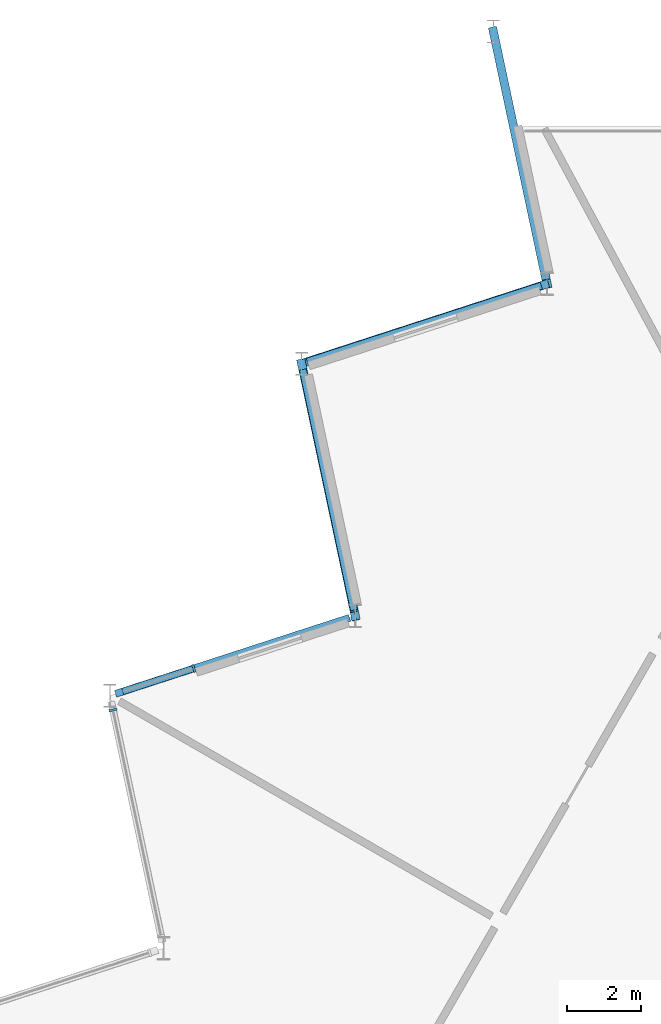
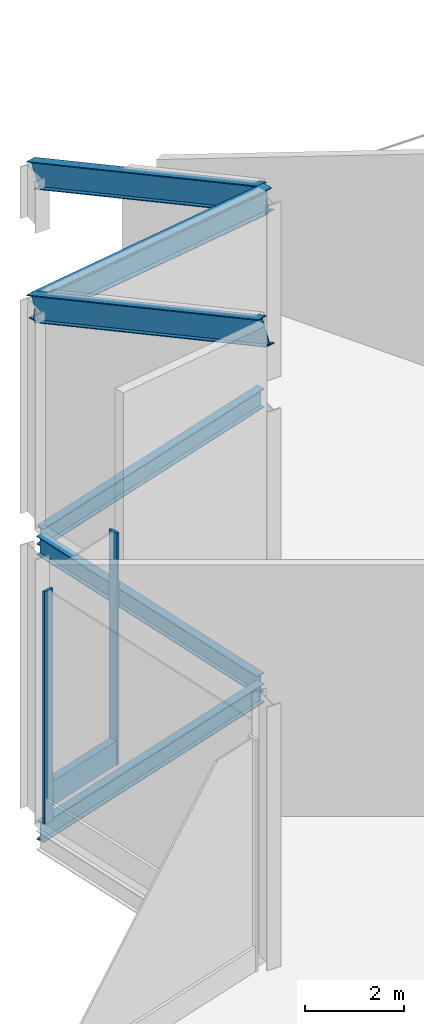
# One storey, part 7 of 12: 6 members, 3 beams, 2 elements without a shape of their own.
"""IFC4 building model written with IfcOpenShell, lengths in metres."""

from ifc_helpers import new_model, si_unit, direction, frame, origin, origin_2d, place, context, subcontext, project, spatial, rectangle, i_section, extrude, material, layer, layer_set, material_profile, profile_set, type_object, element, aggregate, save


model = new_model("IFC4")

# Units and contexts
model_context = context("Model", 3, precision=1e-05, world=origin(), true_north=direction((0.0, 1.0)))
body_context = subcontext(model_context, "Body", "Model", "MODEL_VIEW")
ifc_project = project(units=[si_unit("LENGTHUNIT", "METRE"), si_unit("AREAUNIT", "SQUARE_METRE"), si_unit("VOLUMEUNIT", "CUBIC_METRE"), si_unit("PLANEANGLEUNIT", "RADIAN"), si_unit("MASSUNIT", "GRAM", prefix="KILO")], contexts=[model_context])

# Site, building, storey
site_placement = place(None, origin())
site = spatial("IfcSite", under=ifc_project, at=site_placement, CompositionType="ELEMENT")
building_placement = place(site_placement, origin())
building = spatial("IfcBuilding", under=site, at=building_placement, Name="Cormorant Prow Tower", CompositionType="ELEMENT")
storey_placement = place(building_placement, frame((0.0, 0.0, 434.699951171875)))
storey = spatial("IfcBuildingStorey", under=building, at=storey_placement, Name="L97", CompositionType="ELEMENT", Elevation=434.699951171875)

# Members
ifc_material_1 = material(Name="Structural steel ASTM A992 Gr 50", Category="steel")
ifc_material_profile_1 = material_profile(ifc_material_1, i_section(OverallWidth=0.22900390625, OverallDepth=0.612060546875, WebThickness=0.011962890625, FlangeThickness=0.01953125, at=origin_2d()), Name="W24x84")
ifc_profile_set_1 = profile_set([ifc_material_profile_1], Name="Structural steel ASTM A992 Gr 50")
member_type_1 = type_object("IfcMemberType", Name="Crown frame edge member W24x84", PredefinedType="USERDEFINED", material=ifc_profile_set_1)
member_1_placement = place(storey_placement, frame((-7.273681640625, 22.212890625, 4.2568359375), z_axis=(-0.942279930766, -0.306165792831, 0.135539807349), x_axis=(0.309017436199, -0.951056372738, 0.0)))
element("IfcMember", 1, at=member_1_placement, inside=storey, type_object=member_type_1, Name="Crown frame edge member CF3 WNW02-WNW03", ObjectType="CROWN FRAME", PredefinedType="USERDEFINED", context=body_context, shape_type="SweptSolid", body=[
    extrude(i_section(OverallWidth=0.22900390625, OverallDepth=0.612060546875, WebThickness=0.011962890625, FlangeThickness=0.01953125, at=origin_2d()), origin(), (0.0, 0.0, 1.0), 7.062744140625),
])
ifc_material_2 = material(Name="Structural steel ASTM A992 Gr 50", Category="steel")
ifc_material_profile_2 = material_profile(ifc_material_2, i_section(OverallWidth=0.22900390625, OverallDepth=0.612060546875, WebThickness=0.011962890625, FlangeThickness=0.01953125, at=origin_2d()), Name="W24x84")
ifc_profile_set_2 = profile_set([ifc_material_profile_2], Name="Structural steel ASTM A992 Gr 50")
member_type_2 = type_object("IfcMemberType", Name="Crown frame rafter W24x84", PredefinedType="RAFTER", material=ifc_profile_set_2)
member_2_placement = place(storey_placement, frame((-8.728515625, 29.05712890625, 1.23974609375), z_axis=(0.190794500406, -0.897589029096, 0.397405829676), x_axis=(0.978146257121, 0.207918011921, 0.0)))
element("IfcMember", 2, at=member_2_placement, inside=storey, type_object=member_type_2, Name="Crown frame rafter CF2 WNW01-WNW02", PredefinedType="RAFTER", context=body_context, shape_type="SweptSolid", body=[
    extrude(i_section(OverallWidth=0.22900390625, OverallDepth=0.612060546875, WebThickness=0.011962890625, FlangeThickness=0.01953125, at=origin_2d()), origin(), (0.0, 0.0, 1.0), 7.625244140625),
])
member_3_placement = place(storey_placement, frame((-13.9287109375, 20.050537109375, 5.227294921875), z_axis=(0.190796928041, -0.897600449857, 0.397378867917), x_axis=(0.978146257121, 0.207918011921, 0.0)))
element("IfcMember", 3, at=member_3_placement, inside=storey, type_object=member_type_2, Name="Crown frame rafter CF2 WNW03-WNW04", PredefinedType="RAFTER", context=body_context, shape_type="SweptSolid", body=[
    extrude(i_section(OverallWidth=0.22900390625, OverallDepth=0.612060546875, WebThickness=0.011962890625, FlangeThickness=0.01953125, at=origin_2d()), origin(), (0.0, 0.0, 1.0), 7.625),
])

# Curtain wall, member
ifc_material_3 = material(Name="Aluminium 6063-T6", Category="aluminium")
ifc_layer = layer(ifc_material_3, 0.219970703125)
ifc_layer_set = layer_set([ifc_layer], Name="Aluminium 6063-T6")
curtain_wall_type = type_object("IfcCurtainWallType", Name="Crown unitised curtain wall 220", PredefinedType="NOTDEFINED", material=ifc_layer_set)
curtain_wall_1_placement = place(storey_placement, origin())
curtain_wall_1 = element("IfcCurtainWall", 4, at=curtain_wall_1_placement, inside=storey, type_object=curtain_wall_type, Name="Crown curtain wall crown WNW04", PredefinedType="NOTDEFINED")
ifc_material_4 = material(Name="Aluminium 6063-T6", Category="aluminium")
ifc_material_profile_3 = material_profile(ifc_material_4, rectangle(XDim=0.219970703125, YDim=0.06005859375, at=origin_2d()), Name="Crown mullion 60x220")
ifc_profile_set_3 = profile_set([ifc_material_profile_3], Name="Aluminium 6063-T6")
member_type_3 = type_object("IfcMemberType", Name="Crown mullion 60x220", PredefinedType="MULLION", material=ifc_profile_set_3)
member_4_placement = place(storey_placement, frame((-16.8486328125, 11.78466796875, 0.0), z_axis=(0.0, 0.0, 1.0), x_axis=(0.309017066365, -0.951056492904, 0.0)))
member_4 = element("IfcMember", 5, at=member_4_placement, type_object=member_type_3, Name="Crown mullion crown WNW04", PredefinedType="MULLION", context=body_context, shape_type="SweptSolid", body=[
    extrude(rectangle(XDim=0.219970703125, YDim=0.06005859375, at=origin_2d()), origin(), (0.0, 0.0, 1.0), 5.73388671875),
])

curtain_wall_2_placement = place(storey_placement, origin())
curtain_wall_2 = element("IfcCurtainWall", 6, at=curtain_wall_2_placement, inside=storey, type_object=curtain_wall_type, Name="Crown curtain wall crown WNW05", PredefinedType="NOTDEFINED")
member_5_placement = place(storey_placement, frame((-19.04638671875, 10.656494140625, 0.0), z_axis=(0.0, 0.0, 1.0), x_axis=(0.978147609588, 0.207911649162, 0.0)))
member_5 = element("IfcMember", 7, at=member_5_placement, type_object=member_type_3, Name="Crown mullion crown WNW05", PredefinedType="MULLION", context=body_context, shape_type="SweptSolid", body=[
    extrude(rectangle(XDim=0.219970703125, YDim=0.06005859375, at=origin_2d()), origin(), (0.0, 0.0, 1.0), 5.73388671875),
])
aggregate(curtain_wall_2, [member_5])

# Beams
ifc_material_5 = material(Name="Structural steel ASTM A992 Gr 50", Category="steel")
ifc_material_profile_4 = material_profile(ifc_material_5, i_section(OverallWidth=0.19287109375, OverallDepth=0.466064453125, WebThickness=0.011474609375, FlangeThickness=0.01904296875, at=origin_2d()), Name="W18x65")
ifc_profile_set_4 = profile_set([ifc_material_profile_4], Name="Structural steel ASTM A992 Gr 50")
beam_type = type_object("IfcBeamType", Name="Crown ring beam W18x65", PredefinedType="SPANDREL", material=ifc_profile_set_4)
beam_placement = place(storey_placement, frame((-7.428955078125, 22.162353515625, -0.532958984375), z_axis=(-0.951063917575, -0.308994214649, 0.0), x_axis=(0.308994214649, -0.951063917575, 0.0)))
element("IfcBeam", 8, at=beam_placement, inside=storey, type_object=beam_type, Name="Crown ring beam SB5 WNW02-WNW03 L97", PredefinedType="SPANDREL", context=body_context, shape_type="SweptSolid", body=[
    extrude(i_section(OverallWidth=0.19287109375, OverallDepth=0.466064453125, WebThickness=0.011474609375, FlangeThickness=0.01904296875, at=origin_2d()), origin(), (0.0, 0.0, 1.0), 6.6708984375),
])
for number, where, z_axis, x_axis, name in (
    (9, (-13.894775390625, 19.890869140625, -0.532958984375), (0.207919161079, -0.978146012851, 0.0), (0.978146012851, 0.207919161079, 0.0), "Crown ring beam SB5 WNW03-WNW04 L97"),
    (10, (-12.629150390625, 13.15576171875, -0.532958984375), (-0.951049666898, -0.309038073858, 0.0), (0.309038073858, -0.951049666898, 0.0), "Crown ring beam SB5 WNW04-WNW05 L97"),
):
    element("IfcBeam", number, at=place(storey_placement, frame(where, z_axis=z_axis, x_axis=x_axis)), inside=storey, type_object=beam_type, Name=name, PredefinedType="SPANDREL", context=body_context, shape_type="SweptSolid", body=[
        extrude(i_section(OverallWidth=0.19287109375, OverallDepth=0.466064453125, WebThickness=0.011474609375, FlangeThickness=0.01904296875, at=origin_2d()), origin(), (0.0, 0.0, 1.0), 6.670654296875),
    ])

# Member
ifc_material_6 = material(Name="Terracotta", Category="masonry")
ifc_material_profile_5 = material_profile(ifc_material_6, rectangle(XDim=0.179931640625, YDim=0.60009765625, at=origin_2d()), Name="Crown terracotta spandrel rail 180x600")
ifc_profile_set_5 = profile_set([ifc_material_profile_5], Name="Terracotta")
member_type_4 = type_object("IfcMemberType", Name="Crown terracotta spandrel rail 180x600", PredefinedType="USERDEFINED", material=ifc_profile_set_5)
member_6_placement = place(storey_placement, frame((-16.877197265625, 11.775390625, 0.300048828125), z_axis=(-0.951059167648, -0.30900883423, 0.0), x_axis=(0.30900883423, -0.951059167648, 0.0)))
member_6 = element("IfcMember", 11, at=member_6_placement, type_object=member_type_4, Name="Crown spandrel rail crown WNW04", ObjectType="TRANSOM", PredefinedType="USERDEFINED", context=body_context, shape_type="SweptSolid", body=[
    extrude(rectangle(XDim=0.179931640625, YDim=0.60009765625, at=origin_2d()), origin(), (0.0, 0.0, 1.0), 2.001220703125),
])

aggregate(curtain_wall_1, [member_4, member_6])

save(model, "model.ifc")
